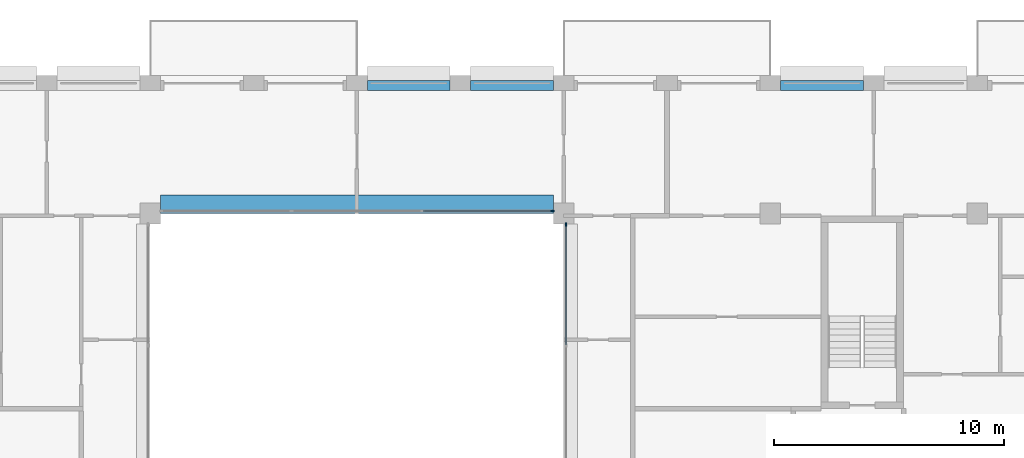
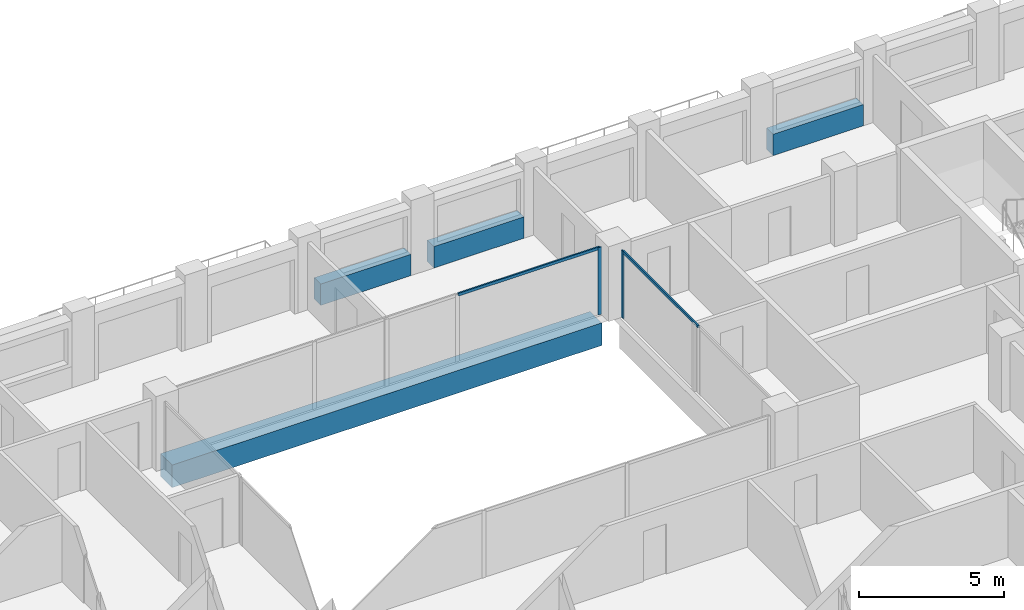
# One storey, part 6 of 15: 4 beams, 4 members, 2 elements without a shape of their own.
"""IFC4 building model written with IfcOpenShell, lengths in metres."""

from ifc_helpers import new_model, si_unit, direction, frame, origin, origin_2d, place, context, subcontext, project, spatial, rectangle, extrude, material, layer, layer_set, material_profile, profile_set, type_object, element, aggregate, save


model = new_model("IFC4")

# Units and contexts
model_context = context("Model", 3, precision=1e-05, world=origin(), true_north=direction((0.0, 1.0)))
body_context = subcontext(model_context, "Body", "Model", "MODEL_VIEW")
ifc_project = project(units=[si_unit("LENGTHUNIT", "METRE"), si_unit("AREAUNIT", "SQUARE_METRE"), si_unit("VOLUMEUNIT", "CUBIC_METRE"), si_unit("PLANEANGLEUNIT", "RADIAN"), si_unit("MASSUNIT", "GRAM", prefix="KILO")], contexts=[model_context])

# Site, building, storey
site_placement = place(None, origin())
site = spatial("IfcSite", under=ifc_project, at=site_placement, CompositionType="ELEMENT")
building_placement = place(site_placement, origin())
building = spatial("IfcBuilding", under=site, at=building_placement, Name="Brigalow Station Residences", CompositionType="ELEMENT")
storey_placement = place(building_placement, frame((0.0, 0.0, 229.5)))
storey = spatial("IfcBuildingStorey", under=building, at=storey_placement, Name="L66", CompositionType="ELEMENT", Elevation=229.5)

# Beam
ifc_material_1 = material(Name="Concrete C65", Category="concrete")
ifc_material_profile_1 = material_profile(ifc_material_1, rectangle(XDim=0.800048828125, YDim=0.949951171875, at=origin_2d()), Name="RC800x950")
ifc_profile_set_1 = profile_set([ifc_material_profile_1], Name="Concrete C65")
beam_type_1 = type_object("IfcBeamType", Name="ATRIUM EDGE GIRDER OVER 13.5 M SPAN 800x950 C65", PredefinedType="BEAM", material=ifc_profile_set_1)
beam_placement = place(storey_placement, frame((27.449951171875, 35.89990234375, -0.794921875), z_axis=(1.0, 0.0, 0.0), x_axis=(0.0, 1.0, 0.0)))
element("IfcBeam", 1, at=beam_placement, inside=storey, type_object=beam_type_1, Name="ATRIUM EDGE GIRDER D L66", PredefinedType="BEAM", context=body_context, shape_type="SweptSolid", body=[
    extrude(rectangle(XDim=0.800048828125, YDim=0.949951171875, at=origin_2d()), origin(), (0.0, 0.0, 1.0), 17.10009765625),
])

# Curtain wall, member
ifc_material_2 = material(Name="Aluminium", Category="aluminium")
ifc_layer = layer(ifc_material_2, 0.14990234375)
ifc_layer_set = layer_set([ifc_layer], Name="ATRIUM FIRE-RATED GLAZING CURTAIN WALL")
curtain_wall_type = type_object("IfcCurtainWallType", Name="ATRIUM FIRE-RATED GLAZING CURTAIN WALL", PredefinedType="NOTDEFINED", material=ifc_layer_set)
curtain_wall_1_placement = place(storey_placement, origin())
curtain_wall_1 = element("IfcCurtainWall", 2, at=curtain_wall_1_placement, inside=storey, type_object=curtain_wall_type, Name="L66/cw/atrium-E", PredefinedType="NOTDEFINED")
ifc_material_3 = material(Name="Aluminium", Category="aluminium")
ifc_material_profile_2 = material_profile(ifc_material_3, rectangle(XDim=0.06005859375, YDim=0.14990234375, at=origin_2d()), Name="ATRIUM FIRE-RATED GLAZING MULLION 60x150")
ifc_profile_set_2 = profile_set([ifc_material_profile_2], Name="Aluminium")
member_type_1 = type_object("IfcMemberType", Name="ATRIUM FIRE-RATED GLAZING MULLION 60x150", PredefinedType="MULLION", material=ifc_profile_set_2)
member_1_placement = place(storey_placement, frame((45.10009765625, 35.02001953125, 0.0), z_axis=(0.0, 0.0, 1.0), x_axis=(-1.0, 0.0, 0.0)))
member_1 = element("IfcMember", 3, at=member_1_placement, type_object=member_type_1, Name="L66/cw/atrium-E/M02", PredefinedType="MULLION", context=body_context, shape_type="SweptSolid", body=[
    extrude(rectangle(XDim=0.06005859375, YDim=0.14990234375, at=origin_2d()), origin(), (0.0, 0.0, 1.0), 2.830078125),
])

curtain_wall_2_placement = place(storey_placement, origin())
curtain_wall_2 = element("IfcCurtainWall", 4, at=curtain_wall_2_placement, inside=storey, type_object=curtain_wall_type, Name="L66/cw/atrium-N", PredefinedType="NOTDEFINED")
member_2_placement = place(storey_placement, frame((44.52001953125, 35.60009765625, 0.0), z_axis=(0.0, 0.0, 1.0), x_axis=(0.0, -1.0, 0.0)))
member_2 = element("IfcMember", 5, at=member_2_placement, type_object=member_type_1, Name="L66/cw/atrium-N/M00", PredefinedType="MULLION", context=body_context, shape_type="SweptSolid", body=[
    extrude(rectangle(XDim=0.06005859375, YDim=0.14990234375, at=origin_2d()), origin(), (0.0, 0.0, 1.0), 2.830078125),
])

# Member
ifc_material_4 = material(Name="Aluminium", Category="aluminium")
ifc_material_profile_3 = material_profile(ifc_material_4, rectangle(XDim=0.06005859375, YDim=0.1201171875, at=origin_2d()), Name="ATRIUM FIRE-RATED GLAZING TRANSOM 60x120")
ifc_profile_set_3 = profile_set([ifc_material_profile_3], Name="Aluminium")
member_type_2 = type_object("IfcMemberType", Name="ATRIUM FIRE-RATED GLAZING TRANSOM 60x120", PredefinedType="USERDEFINED", material=ifc_profile_set_3)
member_3_placement = place(storey_placement, frame((45.10009765625, 29.780029296875, 2.800048828125), z_axis=(0.0, 1.0, 0.0), x_axis=(-1.0, 0.0, 0.0)))
member_3 = element("IfcMember", 6, at=member_3_placement, type_object=member_type_2, Name="L66/cw/atrium-E/T01-00", ObjectType="TRANSOM", PredefinedType="USERDEFINED", context=body_context, shape_type="SweptSolid", body=[
    extrude(rectangle(XDim=0.06005859375, YDim=0.1201171875, at=origin_2d()), origin(), (0.0, 0.0, 1.0), 5.2099609375),
])

aggregate(curtain_wall_1, [member_1, member_3])

member_4_placement = place(storey_placement, frame((44.489990234375, 35.60009765625, 2.800048828125), z_axis=(-1.0, 0.0, 0.0), x_axis=(0.0, -1.0, 0.0)))
member_4 = element("IfcMember", 7, at=member_4_placement, type_object=member_type_2, Name="L66/cw/atrium-N/T00-00", ObjectType="TRANSOM", PredefinedType="USERDEFINED", context=body_context, shape_type="SweptSolid", body=[
    extrude(rectangle(XDim=0.06005859375, YDim=0.1201171875, at=origin_2d()), origin(), (0.0, 0.0, 1.0), 5.610107421875),
])

aggregate(curtain_wall_2, [member_2, member_4])

# Beams
ifc_material_5 = material(Name="Concrete C50", Category="concrete")
ifc_material_profile_4 = material_profile(ifc_material_5, rectangle(XDim=0.449951171875, YDim=0.89990234375, at=origin_2d()), Name="RC450x900")
ifc_profile_set_4 = profile_set([ifc_material_profile_4], Name="Concrete C50")
beam_type_2 = type_object("IfcBeamType", Name="SPANDREL BEAM 450x900 C50", PredefinedType="SPANDREL", material=ifc_profile_set_4)
for number, where, z_axis, x_axis, name in (
    (8, (58.050048828125, 41.074951171875, 0.449951171875), (-1.0, 0.0, 0.0), (0.0, -1.0, 0.0), "L66/spandrel/W-L66-22"),
    (9, (44.550048828125, 41.074951171875, 0.449951171875), (-1.0, 0.0, 0.0), (0.0, -1.0, 0.0), "L66/spandrel/W-L66-25"),
    (10, (40.050048828125, 41.074951171875, 0.449951171875), (-1.0, 0.0, 0.0), (0.0, -1.0, 0.0), "L66/spandrel/W-L66-26"),
):
    element("IfcBeam", number, at=place(storey_placement, frame(where, z_axis=z_axis, x_axis=x_axis)), inside=storey, type_object=beam_type_2, Name=name, PredefinedType="SPANDREL", context=body_context, shape_type="SweptSolid", body=[
        extrude(rectangle(XDim=0.449951171875, YDim=0.89990234375, at=origin_2d()), origin(), (0.0, 0.0, 1.0), 3.60009765625),
    ])

save(model, "model.ifc")
